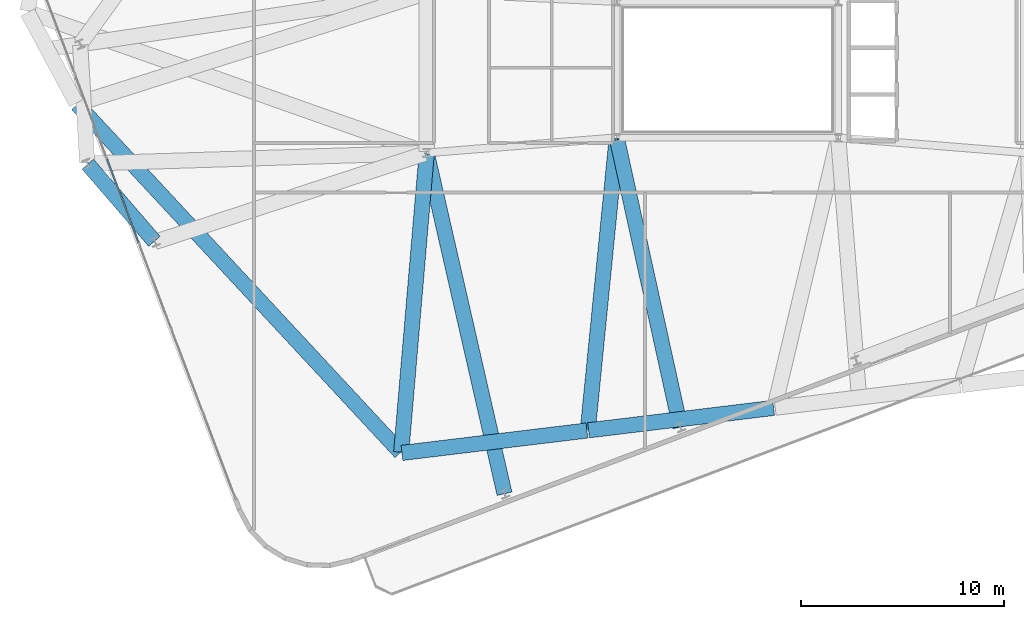
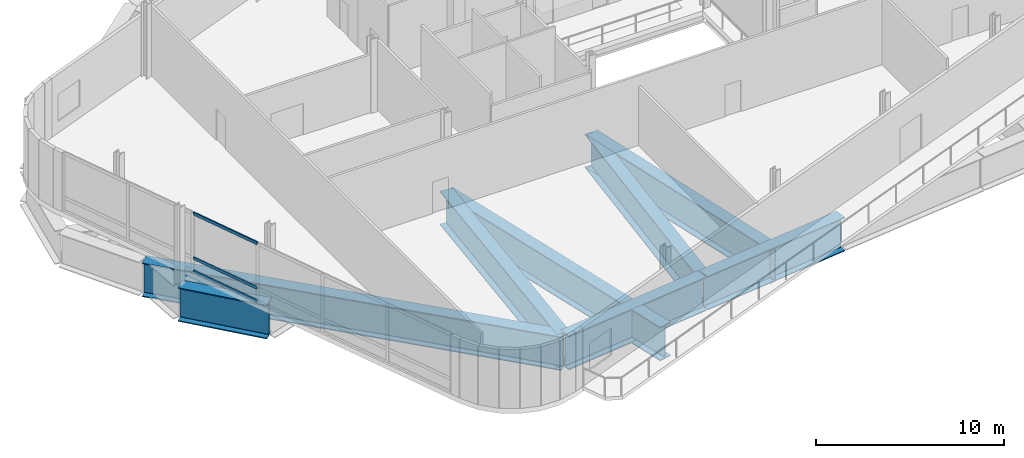
# One storey, part 4 of 19: 8 beams, 3 members, 1 element without a shape of its own.
"""IFC4 building model written with IfcOpenShell, lengths in metres."""

import ifcopenshell
import ifcopenshell.guid

model = None  # the IFC model being written
_history = None  # IfcOwnerHistory: only IFC2X3 demands one
_inside = {}  # id of a spatial element -> (the spatial element, [elements in it])
_under = {}  # id of a project, library or spatial element -> (it, [spatial elements below it])
_declared = {}  # id of a project -> (the project, [libraries it declares])
_typed = {}  # id of a type object -> (the type object, [elements of that type])
_made_of = {}  # id of a material, layer set ... -> (it, [elements and type objects made of it])


def new_model(schema):
    """Start an empty IFC model of exactly this schema.

    Asked for "IFC4X3", IfcOpenShell would pick the latest addendum, in which some entities
    have other attributes; the version numbers below select the first issue.
    IFC2X3 requires an IfcOwnerHistory on every rooted entity: one is made here for all.
    """
    global model, _history
    if schema == "IFC4X3":
        model = ifcopenshell.file(schema_version=(4, 3, 0, 0))
    else:
        model = ifcopenshell.file(schema=schema)
    _inside.clear()
    _under.clear()
    _declared.clear()
    _typed.clear()
    _made_of.clear()
    _history = None
    if model.schema == "IFC2X3":
        org = make("IfcOrganization", Name="unknown")
        user = make(
            "IfcPersonAndOrganization",
            ThePerson=make("IfcPerson", FamilyName="unknown"),
            TheOrganization=org,
        )
        app = make(
            "IfcApplication",
            ApplicationDeveloper=org,
            Version="unknown",
            ApplicationFullName="unknown",
            ApplicationIdentifier="unknown",
        )
        _history = make(
            "IfcOwnerHistory",
            OwningUser=user,
            OwningApplication=app,
            ChangeAction="ADDED",
            CreationDate=0,
        )
    return model


def make(cls, **values):
    """One entity of the class cls with the attributes given. An attribute that is None is left unset."""
    return model.create_entity(
        cls, **{name: value for name, value in values.items() if value is not None}
    )


def rooted(cls, **values):
    """An entity with a GlobalId (a new one), such as an element, a storey or a relation."""
    return make(cls, GlobalId=ifcopenshell.guid.new(), OwnerHistory=_history, **values)


def si_unit(unit_type, name, prefix=None):
    """IfcSIUnit, for example si_unit("LENGTHUNIT", "METRE", prefix="MILLI")."""
    return make("IfcSIUnit", UnitType=unit_type, Prefix=prefix, Name=name)


def assignment(units):
    """IfcUnitAssignment: the units of a project."""
    return None if units is None else make("IfcUnitAssignment", Units=units)


def point(xyz):
    """IfcCartesianPoint."""
    return None if xyz is None else make("IfcCartesianPoint", Coordinates=xyz)


def direction(xyz):
    """IfcDirection."""
    return None if xyz is None else make("IfcDirection", DirectionRatios=xyz)


def frame(location, z_axis=None, x_axis=None):
    """IfcAxis2Placement3D, a coordinate frame: its origin and axes. An axis left out is left unset."""
    return make(
        "IfcAxis2Placement3D",
        Location=point(location),
        Axis=direction(z_axis),
        RefDirection=direction(x_axis),
    )


def frame_2d(location, x_axis=None):
    """IfcAxis2Placement2D, a coordinate frame in the plane: its origin and x axis."""
    return make(
        "IfcAxis2Placement2D", Location=point(location), RefDirection=direction(x_axis)
    )


def origin():
    """The frame at (0, 0, 0) with its axes left unset."""
    return frame((0.0, 0.0, 0.0))


def origin_2d():
    """The frame at (0, 0) in the plane with its x axis left unset."""
    return frame_2d((0.0, 0.0))


def place(relative_to, where):
    """IfcLocalPlacement: puts the frame where relative to a parent placement (None: the world)."""
    return make(
        "IfcLocalPlacement", PlacementRelTo=relative_to, RelativePlacement=where
    )


def context(
    kind, dimensions, precision=None, world=None, true_north=None, identifier=None
):
    """IfcGeometricRepresentationContext, for example the 3D "Model" context."""
    return make(
        "IfcGeometricRepresentationContext",
        ContextIdentifier=identifier,
        ContextType=kind,
        CoordinateSpaceDimension=dimensions,
        Precision=precision,
        WorldCoordinateSystem=world,
        TrueNorth=true_north,
    )


def subcontext(parent, identifier, kind, view, scale=None):
    """IfcGeometricRepresentationSubContext, for example "Body" below "Model"."""
    return make(
        "IfcGeometricRepresentationSubContext",
        ContextIdentifier=identifier,
        ContextType=kind,
        ParentContext=parent,
        TargetScale=scale,
        TargetView=view,
    )


def project(units=None, contexts=None):
    """IfcProject with its units and contexts."""
    return rooted(
        "IfcProject",
        Name="project",
        RepresentationContexts=contexts,
        UnitsInContext=assignment(units),
    )


def spatial(cls, under=None, at=None, **own):
    """A site, building, storey or space (cls), placed at a placement, below another one or the project."""
    s = rooted(cls, ObjectPlacement=at, **own)
    if under is not None:
        _under.setdefault(under.id(), (under, []))[1].append(s)
    return s


def profile(cls, at=None, kind="AREA", **sizes):
    """A parametric profile (cls). Its sizes go by their IFC names, for example OverallWidth=200.0."""
    return make(cls, ProfileType=kind, Position=at, **sizes)


def hollow_rectangle(**sizes):
    """IfcRectangleHollowProfileDef."""
    return profile("IfcRectangleHollowProfileDef", **sizes)


def i_section(**sizes):
    """IfcIShapeProfileDef."""
    return profile("IfcIShapeProfileDef", **sizes)


def extrude(swept, where, along, depth):
    """IfcExtrudedAreaSolid: the profile swept, set in the frame where, extruded along a direction by depth."""
    return make(
        "IfcExtrudedAreaSolid",
        SweptArea=swept,
        Position=where,
        ExtrudedDirection=direction(along),
        Depth=depth,
    )


def shape(context_of_items, identifier, shape_type, items):
    """IfcShapeRepresentation: the items that make up one representation, for example the "Body"."""
    return make(
        "IfcShapeRepresentation",
        ContextOfItems=context_of_items,
        RepresentationIdentifier=identifier,
        RepresentationType=shape_type,
        Items=items,
    )


def material(Name=None, Category=None):
    """IfcMaterial."""
    return make("IfcMaterial", Name=Name, Category=Category)


def layer(
    of_material, thickness, ventilated=None, Name=None, Category=None, Priority=None
):
    """IfcMaterialLayer: one layer of a wall or slab, of a material (None: an air gap)."""
    return make(
        "IfcMaterialLayer",
        Material=of_material,
        LayerThickness=thickness,
        IsVentilated=ventilated,
        Name=Name,
        Category=Category,
        Priority=Priority,
    )


def layer_set(layers, Name=None):
    """IfcMaterialLayerSet."""
    return make("IfcMaterialLayerSet", MaterialLayers=layers, LayerSetName=Name)


def material_profile(
    of_material, cross_section, Name=None, Category=None, Priority=None
):
    """IfcMaterialProfile: a cross section and its material."""
    return make(
        "IfcMaterialProfile",
        Name=Name,
        Material=of_material,
        Profile=cross_section,
        Priority=Priority,
        Category=Category,
    )


def profile_set(profiles, Name=None, composite=None):
    """IfcMaterialProfileSet."""
    return make(
        "IfcMaterialProfileSet",
        Name=Name,
        MaterialProfiles=profiles,
        CompositeProfile=composite,
    )


def made_of(thing, what):
    """Note that an element or type object is made of a material, layer set ...; save() writes the relation."""
    if what is not None:
        _made_of.setdefault(what.id(), (what, []))[1].append(thing)
    return thing


def type_object(cls, material=None, **own):
    """A type object (cls), such as IfcWallType, which elements share."""
    return made_of(rooted(cls, **own), material)


def element(
    cls,
    number,
    at=None,
    inside=None,
    cuts=None,
    type_object=None,
    material=None,
    context=None,
    identifier="Body",
    shape_type=None,
    held_by="IfcProductDefinitionShape",
    body=None,
    shapes=None,
    **own,
):
    """One element of the class cls, such as IfcWall. Its Tag is "e" and its number.

    at: its placement. inside: the storey or other place that contains it. cuts: it is an
    opening in that element (IfcRelVoidsElement). A single representation is given by context,
    identifier, shape_type and body (its items); several are given by shapes. held_by: the class
    of the entity that holds the representations. save() writes the other relations.
    """
    e = rooted(cls, Tag="e%d" % number, ObjectPlacement=at, **own)
    if body is not None:
        shapes = [shape(context, identifier, shape_type, body)]
    if shapes is not None:
        e.Representation = make(held_by, Representations=shapes)
    if inside is not None:
        _inside.setdefault(inside.id(), (inside, []))[1].append(e)
    if cuts is not None:
        rooted(
            "IfcRelVoidsElement", RelatingBuildingElement=cuts, RelatedOpeningElement=e
        )
    if type_object is not None:
        _typed.setdefault(type_object.id(), (type_object, []))[1].append(e)
    return made_of(e, material)


def aggregate(whole, parts):
    """IfcRelAggregates: a whole, such as a stair, and the parts it consists of."""
    return rooted("IfcRelAggregates", RelatingObject=whole, RelatedObjects=parts)


def save(model, path):
    """Write the relations noted so far, then the file.

    IfcRelAggregates (storeys below a building ...), IfcRelContainedInSpatialStructure (elements
    in a storey), IfcRelDefinesByType, IfcRelAssociatesMaterial and IfcRelDeclares: one each for
    every whole, place, type object, material and project.
    """
    for whole, parts in _under.values():
        aggregate(whole, parts)
    for where, things in _inside.values():
        rooted(
            "IfcRelContainedInSpatialStructure",
            RelatedElements=things,
            RelatingStructure=where,
        )
    for kind, things in _typed.values():
        rooted("IfcRelDefinesByType", RelatedObjects=things, RelatingType=kind)
    for what, things in _made_of.values():
        rooted("IfcRelAssociatesMaterial", RelatedObjects=things, RelatingMaterial=what)
    for by, libraries in _declared.values():
        rooted("IfcRelDeclares", RelatingContext=by, RelatedDefinitions=libraries)
    model.write(path)


model = new_model("IFC4")

# Units and contexts
model_context = context("Model", 3, precision=1e-05, world=origin(), true_north=direction((0.0, 1.0)))
body_context = subcontext(model_context, "Body", "Model", "MODEL_VIEW")
ifc_project = project(units=[si_unit("LENGTHUNIT", "METRE"), si_unit("AREAUNIT", "SQUARE_METRE"), si_unit("VOLUMEUNIT", "CUBIC_METRE"), si_unit("PLANEANGLEUNIT", "RADIAN"), si_unit("MASSUNIT", "GRAM", prefix="KILO")], contexts=[model_context])

# Site, building, storey
site_placement = place(None, origin())
site = spatial("IfcSite", under=ifc_project, at=site_placement, CompositionType="ELEMENT")
building_placement = place(site_placement, origin())
building = spatial("IfcBuilding", under=site, at=building_placement, Name="Varnelok Gate Tower", CompositionType="ELEMENT")
storey_placement = place(building_placement, frame((0.0, 0.0, 207.89990234375)))
storey = spatial("IfcBuildingStorey", under=building, at=storey_placement, Name="L53", CompositionType="ELEMENT", Elevation=207.89990234375)

# Beams
ifc_material_1 = material(Name="Structural Steel ASTM A572 Grade 50", Category="steel")
ifc_material_profile_1 = material_profile(ifc_material_1, i_section(OverallWidth=0.75, OverallDepth=2.199951171875, WebThickness=0.031982421875, FlangeThickness=0.06005859375, FilletRadius=0.028076171875, at=origin_2d()), Name="PG2200X750")
ifc_profile_set_1 = profile_set([ifc_material_profile_1], Name="Structural Steel ASTM A572 Grade 50")
beam_type = type_object("IfcBeamType", Name="BM-TR-PG2200", PredefinedType="BEAM", material=ifc_profile_set_1)
beam_1_placement = place(storey_placement, frame((23.182373046875, 4.037841796875, -1.419921875), z_axis=(0.992732625466, 0.120340908818, 0.0), x_axis=(-0.120340908818, 0.992732625466, 0.0)))
element("IfcBeam", 1, at=beam_1_placement, inside=storey, type_object=beam_type, Name="L53 Transfer Support Ring Girder 1", PredefinedType="BEAM", context=body_context, shape_type="SweptSolid", body=[
    extrude(i_section(OverallWidth=0.75, OverallDepth=2.199951171875, WebThickness=0.031982421875, FlangeThickness=0.06005859375, FilletRadius=0.028076171875, at=origin_2d()), origin(), (0.0, 0.0, 1.0), 9.169921875),
])
beam_2_placement = place(storey_placement, frame((32.364990234375, 5.15087890625, -1.419921875), z_axis=(0.992729830166, 0.120363965946, 0.0), x_axis=(-0.120363965946, 0.992729830166, 0.0)))
element("IfcBeam", 2, at=beam_2_placement, inside=storey, type_object=beam_type, Name="L53 Transfer Support Ring Girder 2", PredefinedType="BEAM", context=body_context, shape_type="SweptSolid", body=[
    extrude(i_section(OverallWidth=0.75, OverallDepth=2.199951171875, WebThickness=0.031982421875, FlangeThickness=0.06005859375, FilletRadius=0.028076171875, at=origin_2d()), origin(), (0.0, 0.0, 1.0), 9.170166015625),
])
beam_3_placement = place(storey_placement, frame((7.201904296875, 21.18701171875, -1.419921875), z_axis=(0.680727045154, -0.732537159465, 0.0), x_axis=(0.732537159465, 0.680727045154, 0.0)))
element("IfcBeam", 3, at=beam_3_placement, inside=storey, type_object=beam_type, Name="L53 Transfer Support Ring Girder 16", PredefinedType="BEAM", context=body_context, shape_type="SweptSolid", body=[
    extrude(i_section(OverallWidth=0.75, OverallDepth=2.199951171875, WebThickness=0.031982421875, FlangeThickness=0.06005859375, FilletRadius=0.028076171875, at=origin_2d()), origin(), (0.0, 0.0, 1.0), 23.37744140625),
])
beam_4_placement = place(storey_placement, frame((24.396484375, 18.760009765625, -1.419921875), z_axis=(-0.084835517027, -0.996394969403, 0.0), x_axis=(0.996394969403, -0.084835517027, 0.0)))
element("IfcBeam", 4, at=beam_4_placement, inside=storey, type_object=beam_type, Name="L53 Radial Transfer Main Girder 1", PredefinedType="BEAM", context=body_context, shape_type="SweptSolid", body=[
    extrude(i_section(OverallWidth=0.75, OverallDepth=2.199951171875, WebThickness=0.031982421875, FlangeThickness=0.06005859375, FilletRadius=0.028076171875, at=origin_2d()), origin(), (0.0, 0.0, 1.0), 14.740234375),
])
beam_5_placement = place(storey_placement, frame((33.74609375, 19.51025390625, -1.419921875), z_axis=(-0.098425536218, -0.995144418575, 0.0), x_axis=(0.995144418575, -0.098425536218, 0.0)))
element("IfcBeam", 5, at=beam_5_placement, inside=storey, type_object=beam_type, Name="L53 Radial Transfer Main Girder 2", PredefinedType="BEAM", context=body_context, shape_type="SweptSolid", body=[
    extrude(i_section(OverallWidth=0.75, OverallDepth=2.199951171875, WebThickness=0.031982421875, FlangeThickness=0.06005859375, FilletRadius=0.028076171875, at=origin_2d()), origin(), (0.0, 0.0, 1.0), 14.39404296875),
])
beam_6_placement = place(storey_placement, frame((24.42236328125, 18.702392578125, -1.419921875), z_axis=(0.222567432583, -0.974917298007, 0.0), x_axis=(0.974917298007, 0.222567432583, 0.0)))
element("IfcBeam", 6, at=beam_6_placement, inside=storey, type_object=beam_type, Name="L53 Column Transfer Carrier Girder 1", PredefinedType="BEAM", context=body_context, shape_type="SweptSolid", body=[
    extrude(i_section(OverallWidth=0.75, OverallDepth=2.199951171875, WebThickness=0.031982421875, FlangeThickness=0.06005859375, FilletRadius=0.028076171875, at=origin_2d()), origin(), (0.0, 0.0, 1.0), 17.103271484375),
])
beam_7_placement = place(storey_placement, frame((33.771484375, 19.452392578125, -1.419921875), z_axis=(0.214570818298, -0.976708433431, 0.0), x_axis=(0.976708433431, 0.214570818298, 0.0)))
element("IfcBeam", 7, at=beam_7_placement, inside=storey, type_object=beam_type, Name="L53 Column Transfer Carrier Girder 2", PredefinedType="BEAM", context=body_context, shape_type="SweptSolid", body=[
    extrude(i_section(OverallWidth=0.75, OverallDepth=2.199951171875, WebThickness=0.031982421875, FlangeThickness=0.06005859375, FilletRadius=0.028076171875, at=origin_2d()), origin(), (0.0, 0.0, 1.0), 14.486572265625),
])
beam_8_placement = place(storey_placement, frame((7.720703125, 18.25, -1.419921875), z_axis=(0.653510958709, -0.75691705414, 0.0), x_axis=(0.75691705414, 0.653510958709, 0.0)))
element("IfcBeam", 8, at=beam_8_placement, inside=storey, type_object=beam_type, Name="L53 Upper Perimeter Transfer Ring 15", PredefinedType="BEAM", context=body_context, shape_type="SweptSolid", body=[
    extrude(i_section(OverallWidth=0.75, OverallDepth=2.199951171875, WebThickness=0.031982421875, FlangeThickness=0.06005859375, FilletRadius=0.028076171875, at=origin_2d()), origin(), (0.0, 0.0, 1.0), 5.01953125),
])

# Curtain wall, members
ifc_material_2 = material(Name="Anodized Aluminum Alloy 6063-T6", Category="aluminium")
ifc_layer = layer(ifc_material_2, 0.179931640625)
ifc_layer_set = layer_set([ifc_layer], Name="Anodized Aluminum Alloy 6063-T6")
curtain_wall_type = type_object("IfcCurtainWallType", Name="CW2-ATRIUM-GLAZING", PredefinedType="USERDEFINED", material=ifc_layer_set)
curtain_wall_placement = place(storey_placement, origin())
curtain_wall = element("IfcCurtainWall", 9, at=curtain_wall_placement, inside=storey, type_object=curtain_wall_type, Name="L53 West End Vision Curtain Wall", ObjectType="UNITISED CURTAIN WALL", PredefinedType="USERDEFINED")
ifc_material_profile_2 = material_profile(ifc_material_2, hollow_rectangle(XDim=0.074951171875, YDim=0.199951171875, WallThickness=0.00390625, at=origin_2d()), Name="ALU200X75X4")
ifc_profile_set_2 = profile_set([ifc_material_profile_2], Name="Anodized Aluminum Alloy 6063-T6")
member_type = type_object("IfcMemberType", Name="CW-TRAN-200", PredefinedType="USERDEFINED", material=ifc_profile_set_2)
member_1_placement = place(storey_placement, frame((10.232177734375, 14.373291015625, 0.03759765625), z_axis=(-0.354064266196, 0.935221094396, 0.0), x_axis=(-0.935221094396, -0.354064266196, 0.0)))
member_1 = element("IfcMember", 10, at=member_1_placement, type_object=member_type, Name="CW2 transom 4.1", ObjectType="TRANSOM", PredefinedType="USERDEFINED", context=body_context, shape_type="SweptSolid", body=[
    extrude(hollow_rectangle(XDim=0.074951171875, YDim=0.199951171875, WallThickness=0.00390625, at=origin_2d()), origin(), (0.0, 0.0, 1.0), 4.3916015625),
])
member_2_placement = place(storey_placement, frame((10.232177734375, 14.373291015625, 0.900146484375), z_axis=(-0.354064266196, 0.935221094396, 0.0), x_axis=(-0.935221094396, -0.354064266196, 0.0)))
member_2 = element("IfcMember", 11, at=member_2_placement, type_object=member_type, Name="CW2 transom 4.2", ObjectType="TRANSOM", PredefinedType="USERDEFINED", context=body_context, shape_type="SweptSolid", body=[
    extrude(hollow_rectangle(XDim=0.074951171875, YDim=0.199951171875, WallThickness=0.00390625, at=origin_2d()), origin(), (0.0, 0.0, 1.0), 4.3916015625),
])
member_3_placement = place(storey_placement, frame((10.232177734375, 14.373291015625, 3.79248046875), z_axis=(-0.354064266196, 0.935221094396, 0.0), x_axis=(-0.935221094396, -0.354064266196, 0.0)))
member_3 = element("IfcMember", 12, at=member_3_placement, type_object=member_type, Name="CW2 transom 4.3", ObjectType="TRANSOM", PredefinedType="USERDEFINED", context=body_context, shape_type="SweptSolid", body=[
    extrude(hollow_rectangle(XDim=0.074951171875, YDim=0.199951171875, WallThickness=0.00390625, at=origin_2d()), origin(), (0.0, 0.0, 1.0), 4.3916015625),
])
aggregate(curtain_wall, [member_1, member_2, member_3])

save(model, "model.ifc")
